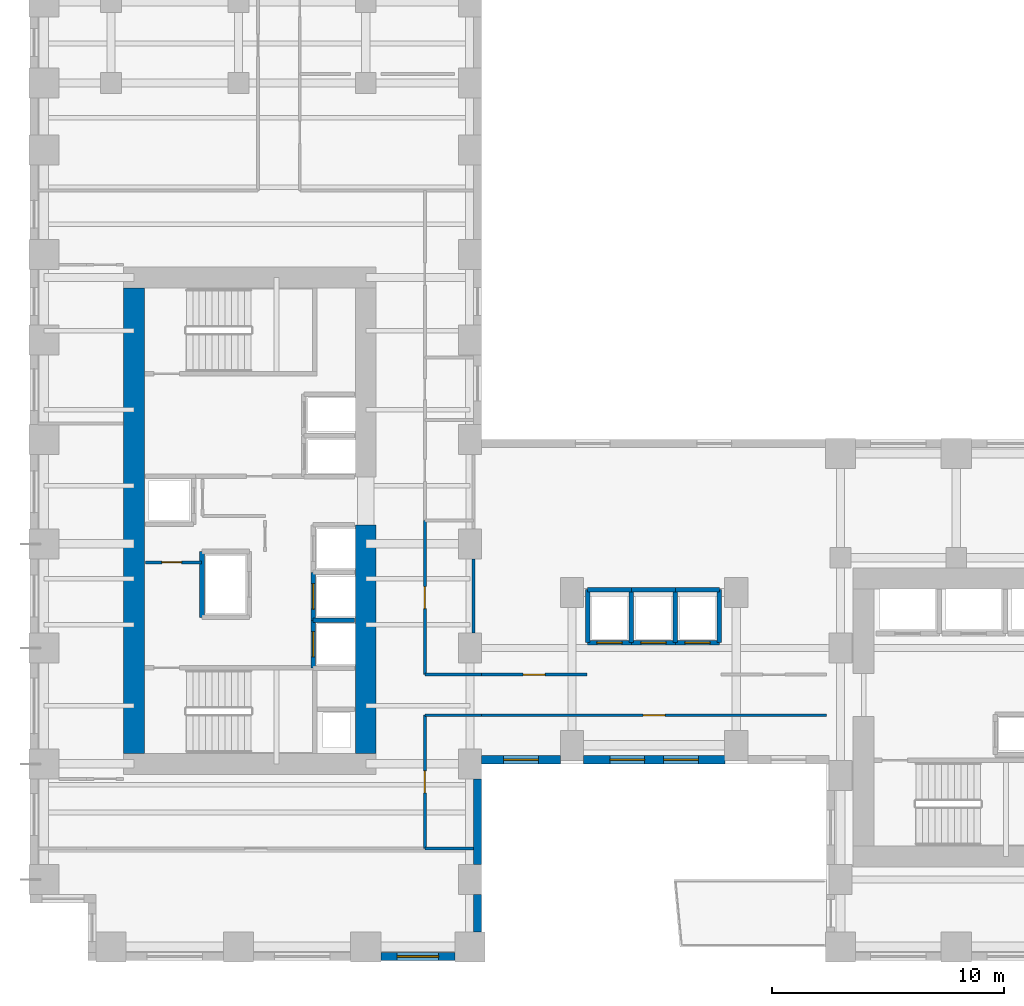
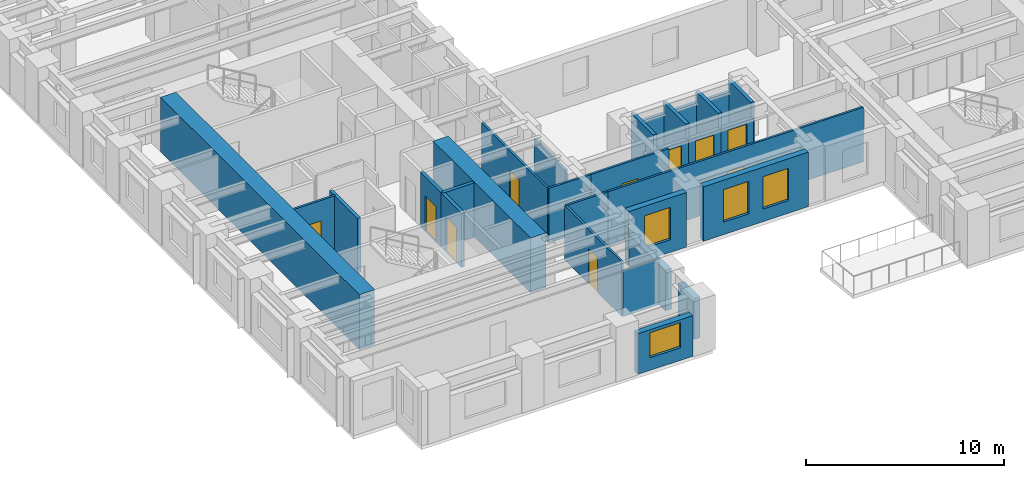
# One storey, part 4 of 12: 30 walls, 10 doors, 4 windows, 14 openings.
"""IFC4 building model written with IfcOpenShell, lengths in metres."""

from ifc_helpers import new_model, si_unit, direction, frame, frame_2d, origin, place, context, subcontext, project, spatial, rectangle, extrude, source, transform, mapped, material, layer, layer_set, type_object, element, fill, save


model = new_model("IFC4")

# Units and contexts
model_context = context("Model", 3, precision=1e-05, world=origin(), true_north=direction((0.0, 1.0)))
body_context = subcontext(model_context, "Body", "Model", "MODEL_VIEW")
ifc_project = project(units=[si_unit("LENGTHUNIT", "METRE"), si_unit("AREAUNIT", "SQUARE_METRE"), si_unit("VOLUMEUNIT", "CUBIC_METRE"), si_unit("PLANEANGLEUNIT", "RADIAN"), si_unit("MASSUNIT", "GRAM", prefix="KILO")], contexts=[model_context])

# Site, building, storey
site_placement = place(None, origin())
site = spatial("IfcSite", under=ifc_project, at=site_placement, CompositionType="ELEMENT")
building_placement = place(site_placement, origin())
building = spatial("IfcBuilding", under=site, at=building_placement, Name="Kharzan Plaza Tower", CompositionType="ELEMENT")
storey_placement = place(building_placement, frame((0.0, 0.0, 33.300048828125)))
storey = spatial("IfcBuildingStorey", under=building, at=storey_placement, Name="L08", CompositionType="ELEMENT", Elevation=33.300048828125)

# Wall, opening, window
ifc_material_1 = material(Name="Concrete C40/50", Category="concrete")
ifc_layer_1 = layer(ifc_material_1, 0.35009765625)
ifc_layer_set_1 = layer_set([ifc_layer_1], Name="Concrete C40/50")
wall_type_1 = type_object("IfcWallType", Name="WL-EXT-MAS-Z1", PredefinedType="SOLIDWALL", material=ifc_layer_set_1)
wall_1_placement = place(storey_placement, frame((15.14794921875, 0.175048828125, 0.0), z_axis=(0.0, 0.0, 1.0), x_axis=(1.0, 0.0, 0.0)))
wall_1 = element("IfcWall", 1, at=wall_1_placement, inside=storey, type_object=wall_type_1, Name="L08 Masonry-Frame Exterior Wall 25", PredefinedType="SOLIDWALL", context=body_context, shape_type="SweptSolid", body=[
    extrude(rectangle(XDim=3.2041015625, YDim=0.35009765625, at=frame_2d((1.60205078125, 0.0))), origin(), (0.0, 0.0, 1.0), 2.510009765625),
])
opening_1_placement = place(wall_1_placement, frame((0.701904296875, 0.0, 0.780029296875)))
opening_1 = element("IfcOpeningElement", 2, at=opening_1_placement, cuts=wall_1, Name="Opening W1", PredefinedType="OPENING", context=body_context, shape_type="SweptSolid", body=[
    extrude(rectangle(XDim=1.800048828125, YDim=1.550048828125, at=frame_2d((0.89990234375, 0.77490234375))), frame((0.0, 0.18505859375, 0.0), z_axis=(0.0, -1.0, 0.0), x_axis=(1.0, 0.0, 0.0)), (0.0, 0.0, 1.0), 0.3701171875),
])
ifc_material_2 = material(Name="Low-E Double Glazing", Category="glass")
window_type_1 = type_object("IfcWindowType", Name="WN-REC-1800x2100", PartitioningType="SINGLE_PANEL", PredefinedType="WINDOW", material=ifc_material_2)
shared_shape_1 = source(origin(), body_context, "Body", "SweptSolid", [
    extrude(rectangle(XDim=1.800048828125, YDim=1.550048828125, at=frame_2d((0.89990234375, 0.77490234375))), frame((0.0, 0.030029296875, 0.0), z_axis=(0.0, -1.0, 0.0), x_axis=(1.0, 0.0, 0.0)), (0.0, 0.0, 1.0), 0.06005859375),
])
window_1_placement = place(opening_1_placement, origin())
window_1 = element("IfcWindow", 3, at=window_1_placement, inside=storey, type_object=window_type_1, Name="L08 Recessed Solar-Control Window 25-1", OverallHeight=1.550048828125, OverallWidth=1.800048828125, PartitioningType="SINGLE_PANEL", PredefinedType="WINDOW", context=body_context, shape_type="MappedRepresentation", body=[
    mapped(shared_shape_1, transform((0.0, 0.0, 0.0), x_axis=(1.0, 0.0, 0.0), y_axis=(0.0, 1.0, 0.0), z_axis=(0.0, 0.0, 1.0))),
])
fill(opening_1, window_1)

wall_2_placement = place(storey_placement, frame((19.498046875, 8.675048828125, 0.0), z_axis=(0.0, 0.0, 1.0), x_axis=(1.0, 0.0, 0.0)))
wall_2 = element("IfcWall", 4, at=wall_2_placement, inside=storey, type_object=wall_type_1, Name="L08 Masonry-Frame Exterior Wall 28", PredefinedType="SOLIDWALL", context=body_context, shape_type="SweptSolid", body=[
    extrude(rectangle(XDim=3.404052734375, YDim=0.35009765625, at=frame_2d((1.7021484375, 0.0))), origin(), (0.0, 0.0, 1.0), 3.364990234375),
])
opening_2_placement = place(wall_2_placement, frame((0.951904296875, 0.0, 0.780029296875)))
opening_2 = element("IfcOpeningElement", 5, at=opening_2_placement, cuts=wall_2, Name="Opening W5", PredefinedType="OPENING", context=body_context, shape_type="SweptSolid", body=[
    extrude(rectangle(XDim=1.5, YDim=2.0, at=frame_2d((0.75, 1.0))), frame((0.0, 0.18505859375, 0.0), z_axis=(0.0, -1.0, 0.0), x_axis=(1.0, 0.0, 0.0)), (0.0, 0.0, 1.0), 0.3701171875),
])
window_type_2 = type_object("IfcWindowType", Name="WN-SLT-1500x2000", PartitioningType="SINGLE_PANEL", PredefinedType="WINDOW", material=ifc_material_2)
shared_shape_2 = source(origin(), body_context, "Body", "SweptSolid", [
    extrude(rectangle(XDim=1.5, YDim=2.0, at=frame_2d((0.75, 1.0))), frame((0.0, 0.030029296875, 0.0), z_axis=(0.0, -1.0, 0.0), x_axis=(1.0, 0.0, 0.0)), (0.0, 0.0, 1.0), 0.06005859375),
])
window_2_placement = place(opening_2_placement, origin())
window_2 = element("IfcWindow", 6, at=window_2_placement, inside=storey, type_object=window_type_2, Name="L08 Recessed Solar-Control Window 28-1", OverallHeight=2.0, OverallWidth=1.5, PartitioningType="SINGLE_PANEL", PredefinedType="WINDOW", context=body_context, shape_type="MappedRepresentation", body=[
    mapped(shared_shape_2, transform((0.0, 0.0, 0.0), x_axis=(1.0, 0.0, 0.0), y_axis=(0.0, 1.0, 0.0), z_axis=(0.0, 0.0, 1.0))),
])
fill(opening_2, window_2)

# Wall, openings, windows
wall_3_placement = place(storey_placement, frame((23.89794921875, 8.675048828125, 0.0), z_axis=(0.0, 0.0, 1.0), x_axis=(1.0, 0.0, 0.0)))
wall_3 = element("IfcWall", 7, at=wall_3_placement, inside=storey, type_object=wall_type_1, Name="L08 Masonry-Frame Exterior Wall 29", PredefinedType="SOLIDWALL", context=body_context, shape_type="SweptSolid", body=[
    extrude(rectangle(XDim=6.10400390625, YDim=0.35009765625, at=frame_2d((3.052001953125, 0.0))), origin(), (0.0, 0.0, 1.0), 3.364990234375),
])
opening_3_placement = place(wall_3_placement, frame((1.141357421875, 0.0, 0.780029296875)))
opening_3 = element("IfcOpeningElement", 8, at=opening_3_placement, cuts=wall_3, Name="Opening W5", PredefinedType="OPENING", context=body_context, shape_type="SweptSolid", body=[
    extrude(rectangle(XDim=1.5, YDim=2.0, at=frame_2d((0.75, 1.0))), frame((0.0, 0.18505859375, 0.0), z_axis=(0.0, -1.0, 0.0), x_axis=(1.0, 0.0, 0.0)), (0.0, 0.0, 1.0), 0.3701171875),
])
opening_4_placement = place(wall_3_placement, frame((3.462646484375, 0.0, 0.780029296875)))
opening_4 = element("IfcOpeningElement", 9, at=opening_4_placement, cuts=wall_3, Name="Opening W5", PredefinedType="OPENING", context=body_context, shape_type="SweptSolid", body=[
    extrude(rectangle(XDim=1.5, YDim=2.0, at=frame_2d((0.75, 1.0))), frame((0.0, 0.18505859375, 0.0), z_axis=(0.0, -1.0, 0.0), x_axis=(1.0, 0.0, 0.0)), (0.0, 0.0, 1.0), 0.3701171875),
])
window_3_placement = place(opening_3_placement, origin())
window_3 = element("IfcWindow", 10, at=window_3_placement, inside=storey, type_object=window_type_2, Name="L08 Recessed Solar-Control Window 29-1", OverallHeight=2.0, OverallWidth=1.5, PartitioningType="SINGLE_PANEL", PredefinedType="WINDOW", context=body_context, shape_type="MappedRepresentation", body=[
    mapped(shared_shape_2, transform((0.0, 0.0, 0.0), x_axis=(1.0, 0.0, 0.0), y_axis=(0.0, 1.0, 0.0), z_axis=(0.0, 0.0, 1.0))),
])
fill(opening_3, window_3)
window_4_placement = place(opening_4_placement, origin())
window_4 = element("IfcWindow", 11, at=window_4_placement, inside=storey, type_object=window_type_2, Name="L08 Recessed Solar-Control Window 29-2", OverallHeight=2.0, OverallWidth=1.5, PartitioningType="SINGLE_PANEL", PredefinedType="WINDOW", context=body_context, shape_type="MappedRepresentation", body=[
    mapped(shared_shape_2, transform((0.0, 0.0, 0.0), x_axis=(1.0, 0.0, 0.0), y_axis=(0.0, 1.0, 0.0), z_axis=(0.0, 0.0, 1.0))),
])
fill(opening_4, window_4)

# Wall, opening, door
ifc_material_3 = material(Name="Fire-Rated Gypsum Board Partition", Category="gypsum")
ifc_layer_2 = layer(ifc_material_3, 0.125)
ifc_layer_set_2 = layer_set([ifc_layer_2], Name="Fire-Rated Gypsum Board Partition")
wall_type_2 = type_object("IfcWallType", Name="WL-INT-PART-125", PredefinedType="PARTITIONING", material=ifc_layer_set_2)
wall_4_placement = place(storey_placement, frame((5.0, 17.199951171875, 0.0), z_axis=(0.0, 0.0, 1.0), x_axis=(1.0, 0.0, 0.0)))
wall_4 = element("IfcWall", 12, at=wall_4_placement, inside=storey, type_object=wall_type_2, Name="L08 Interior Partition CA-K2N0", PredefinedType="PARTITIONING", context=body_context, shape_type="SweptSolid", body=[
    extrude(rectangle(XDim=2.39990234375, YDim=0.125, at=frame_2d((1.199951171875, 0.0))), origin(), (0.0, 0.0, 1.0), 3.364990234375),
])
opening_5_placement = place(wall_4_placement, frame((0.699951171875, 0.0, 0.0)))
opening_5 = element("IfcOpeningElement", 13, at=opening_5_placement, cuts=wall_4, Name="Opening RD1", PredefinedType="OPENING", context=body_context, shape_type="SweptSolid", body=[
    extrude(rectangle(XDim=0.85009765625, YDim=2.10009765625, at=frame_2d((0.425048828125, 1.050048828125))), frame((0.0, 0.072509765625, 0.0), z_axis=(0.0, -1.0, 0.0), x_axis=(1.0, 0.0, 0.0)), (0.0, 0.0, 1.0), 0.14501953125),
])
ifc_material_4 = material(Name="Powder-Coated Fire-Rated Steel", Category="steel")
door_type_1 = type_object("IfcDoorType", Name="DR-RISER-900", OperationType="NOTDEFINED", PredefinedType="DOOR", material=ifc_material_4)
shared_shape_3 = source(origin(), body_context, "Body", "SweptSolid", [
    extrude(rectangle(XDim=0.85009765625, YDim=2.10009765625, at=frame_2d((0.425048828125, 1.050048828125))), frame((0.0, 0.02490234375, 0.0), z_axis=(0.0, -1.0, 0.0), x_axis=(1.0, 0.0, 0.0)), (0.0, 0.0, 1.0), 0.050048828125),
])
door_1_placement = place(opening_5_placement, origin())
door_1 = element("IfcDoor", 14, at=door_1_placement, inside=storey, type_object=door_type_1, Name="L08 Core Electrical Store Door", OperationType="SINGLE_SWING_RIGHT", OverallHeight=2.10009765625, OverallWidth=0.85009765625, PredefinedType="DOOR", context=body_context, shape_type="MappedRepresentation", body=[
    mapped(shared_shape_3, transform((0.0, 0.0, 0.0), x_axis=(1.0, 0.0, 0.0), y_axis=(0.0, 1.0, 0.0), z_axis=(0.0, 0.0, 1.0))),
])
fill(opening_5, door_1)

wall_5_placement = place(storey_placement, frame((17.050048828125, 12.35009765625, 0.0), z_axis=(0.0, 0.0, 1.0), x_axis=(0.0, 1.0, 0.0)))
wall_5 = element("IfcWall", 15, at=wall_5_placement, inside=storey, type_object=wall_type_2, Name="L08 Interior Partition SH-AEWN1", PredefinedType="PARTITIONING", context=body_context, shape_type="SweptSolid", body=[
    extrude(rectangle(XDim=6.64990234375, YDim=0.125, at=frame_2d((3.324951171875, 0.0))), origin(), (0.0, 0.0, 1.0), 3.364990234375),
])
opening_6_placement = place(wall_5_placement, frame((2.85009765625, 0.0, 0.0)))
opening_6 = element("IfcOpeningElement", 16, at=opening_6_placement, cuts=wall_5, Name="Opening OD1", PredefinedType="OPENING", context=body_context, shape_type="SweptSolid", body=[
    extrude(rectangle(XDim=0.949951171875, YDim=2.14990234375, at=frame_2d((0.47509765625, 1.074951171875))), frame((0.0, 0.072509765625, 0.0), z_axis=(0.0, -1.0, 0.0), x_axis=(1.0, 0.0, 0.0)), (0.0, 0.0, 1.0), 0.14501953125),
])
ifc_material_5 = material(Name="Acoustic Solid-Core Stained Oak", Category="timber")
door_type_2 = type_object("IfcDoorType", Name="DR-OFF-SINGLE", OperationType="NOTDEFINED", PredefinedType="DOOR", material=ifc_material_5)
shared_shape_4 = source(origin(), body_context, "Body", "SweptSolid", [
    extrude(rectangle(XDim=0.949951171875, YDim=2.14990234375, at=frame_2d((0.47509765625, 1.074951171875))), frame((0.0, 0.02490234375, 0.0), z_axis=(0.0, -1.0, 0.0), x_axis=(1.0, 0.0, 0.0)), (0.0, 0.0, 1.0), 0.050048828125),
])
door_2_placement = place(opening_6_placement, origin())
door_2 = element("IfcDoor", 17, at=door_2_placement, inside=storey, type_object=door_type_2, Name="L08 Slot Collaboration Door", OperationType="SINGLE_SWING_LEFT", OverallHeight=2.14990234375, OverallWidth=0.949951171875, PredefinedType="DOOR", context=body_context, shape_type="MappedRepresentation", body=[
    mapped(shared_shape_4, transform((0.0, 0.0, 0.0), x_axis=(1.0, 0.0, 0.0), y_axis=(0.0, 1.0, 0.0), z_axis=(0.0, 0.0, 1.0))),
])
fill(opening_6, door_2)

wall_6_placement = place(storey_placement, frame((17.050048828125, 4.85009765625, 0.0), z_axis=(0.0, 0.0, 1.0), x_axis=(0.0, 1.0, 0.0)))
wall_6 = element("IfcWall", 18, at=wall_6_placement, inside=storey, type_object=wall_type_2, Name="L08 Interior Partition SH-AEWS", PredefinedType="PARTITIONING", context=body_context, shape_type="SweptSolid", body=[
    extrude(rectangle(XDim=5.75, YDim=0.125, at=frame_2d((2.875, 0.0))), origin(), (0.0, 0.0, 1.0), 3.364990234375),
])
opening_7_placement = place(wall_6_placement, frame((2.39990234375, 0.0, 0.0)))
opening_7 = element("IfcOpeningElement", 19, at=opening_7_placement, cuts=wall_6, Name="Opening OD1", PredefinedType="OPENING", context=body_context, shape_type="SweptSolid", body=[
    extrude(rectangle(XDim=0.949951171875, YDim=2.14990234375, at=frame_2d((0.47509765625, 1.074951171875))), frame((0.0, 0.072509765625, 0.0), z_axis=(0.0, -1.0, 0.0), x_axis=(1.0, 0.0, 0.0)), (0.0, 0.0, 1.0), 0.14501953125),
])
door_3_placement = place(opening_7_placement, origin())
door_3 = element("IfcDoor", 20, at=door_3_placement, inside=storey, type_object=door_type_2, Name="L08 Slot South Office Door", OperationType="SINGLE_SWING_RIGHT", OverallHeight=2.14990234375, OverallWidth=0.949951171875, PredefinedType="DOOR", context=body_context, shape_type="MappedRepresentation", body=[
    mapped(shared_shape_4, transform((0.0, 0.0, 0.0), x_axis=(1.0, 0.0, 0.0), y_axis=(0.0, 1.0, 0.0), z_axis=(0.0, 0.0, 1.0))),
])
fill(opening_7, door_3)

wall_7_placement = place(storey_placement, frame((19.5, 12.35009765625, 0.0), z_axis=(0.0, 0.0, 1.0), x_axis=(1.0, 0.0, 0.0)))
wall_7 = element("IfcWall", 21, at=wall_7_placement, inside=storey, type_object=wall_type_2, Name="L08 Interior Partition SH-SPNW1", PredefinedType="PARTITIONING", context=body_context, shape_type="SweptSolid", body=[
    extrude(rectangle(XDim=4.550048828125, YDim=0.125, at=frame_2d((2.27490234375, 0.0))), origin(), (0.0, 0.0, 1.0), 3.364990234375),
])
opening_8_placement = place(wall_7_placement, frame((1.800048828125, 0.0, 0.0)))
opening_8 = element("IfcOpeningElement", 22, at=opening_8_placement, cuts=wall_7, Name="Opening OD1", PredefinedType="OPENING", context=body_context, shape_type="SweptSolid", body=[
    extrude(rectangle(XDim=0.949951171875, YDim=2.14990234375, at=frame_2d((0.47509765625, 1.074951171875))), frame((0.0, 0.072509765625, 0.0), z_axis=(0.0, -1.0, 0.0), x_axis=(1.0, 0.0, 0.0)), (0.0, 0.0, 1.0), 0.14501953125),
])
door_4_placement = place(opening_8_placement, origin())
door_4 = element("IfcDoor", 23, at=door_4_placement, inside=storey, type_object=door_type_2, Name="L08 North-West Spine Door", OperationType="SINGLE_SWING_RIGHT", OverallHeight=2.14990234375, OverallWidth=0.949951171875, PredefinedType="DOOR", context=body_context, shape_type="MappedRepresentation", body=[
    mapped(shared_shape_4, transform((0.0, 0.0, 0.0), x_axis=(1.0, 0.0, 0.0), y_axis=(0.0, 1.0, 0.0), z_axis=(0.0, 0.0, 1.0))),
])
fill(opening_8, door_4)

wall_8_placement = place(storey_placement, frame((19.5, 10.60009765625, 0.0), z_axis=(0.0, 0.0, 1.0), x_axis=(1.0, 0.0, 0.0)))
wall_8 = element("IfcWall", 24, at=wall_8_placement, inside=storey, type_object=wall_type_2, Name="L08 Interior Partition SH-SPS1", PredefinedType="PARTITIONING", context=body_context, shape_type="SweptSolid", body=[
    extrude(rectangle(XDim=14.89990234375, YDim=0.125, at=frame_2d((7.449951171875, 0.0))), origin(), (0.0, 0.0, 1.0), 3.364990234375),
])
opening_9_placement = place(wall_8_placement, frame((6.97509765625, 0.0, 0.0)))
opening_9 = element("IfcOpeningElement", 25, at=opening_9_placement, cuts=wall_8, Name="Opening OD1", PredefinedType="OPENING", context=body_context, shape_type="SweptSolid", body=[
    extrude(rectangle(XDim=0.949951171875, YDim=2.14990234375, at=frame_2d((0.47509765625, 1.074951171875))), frame((0.0, 0.072509765625, 0.0), z_axis=(0.0, -1.0, 0.0), x_axis=(1.0, 0.0, 0.0)), (0.0, 0.0, 1.0), 0.14501953125),
])
door_5_placement = place(opening_9_placement, origin())
door_5 = element("IfcDoor", 26, at=door_5_placement, inside=storey, type_object=door_type_2, Name="L08 South Spine Studio Door", OperationType="SINGLE_SWING_LEFT", OverallHeight=2.14990234375, OverallWidth=0.949951171875, PredefinedType="DOOR", context=body_context, shape_type="MappedRepresentation", body=[
    mapped(shared_shape_4, transform((0.0, 0.0, 0.0), x_axis=(1.0, 0.0, 0.0), y_axis=(0.0, 1.0, 0.0), z_axis=(0.0, 0.0, 1.0))),
])
fill(opening_9, door_5)

ifc_layer_3 = layer(ifc_material_1, 0.199951171875)
ifc_layer_set_3 = layer_set([ifc_layer_3], Name="Concrete C40/50")
wall_type_3 = type_object("IfcWallType", Name="WL-INT-SHAFT-200", PredefinedType="PARTITIONING", material=ifc_layer_set_3)
wall_9_placement = place(storey_placement, frame((12.22998046875, 12.6298828125, 0.0), z_axis=(0.0, 0.0, 1.0), x_axis=(0.0, 1.0, 0.0)))
wall_9 = element("IfcWall", 27, at=wall_9_placement, inside=storey, type_object=wall_type_3, Name="L08 Interior Partition SHF-PL-H1-W", PredefinedType="PARTITIONING", context=body_context, shape_type="SweptSolid", body=[
    extrude(rectangle(XDim=2.070068359375, YDim=0.199951171875, at=frame_2d((1.03515625, 0.0))), origin(), (0.0, 0.0, 1.0), 3.364990234375),
])
opening_10_placement = place(wall_9_placement, frame((0.485107421875, 0.0, 0.0)))
opening_10 = element("IfcOpeningElement", 28, at=opening_10_placement, cuts=wall_9, Name="Opening LD", PredefinedType="OPENING", context=body_context, shape_type="SweptSolid", body=[
    extrude(rectangle(XDim=1.10009765625, YDim=2.199951171875, at=frame_2d((0.550048828125, 1.10009765625))), frame((0.0, 0.10986328125, 0.0), z_axis=(0.0, -1.0, 0.0), x_axis=(1.0, 0.0, 0.0)), (0.0, 0.0, 1.0), 0.219970703125),
])
ifc_material_6 = material(Name="Brushed Stainless Steel", Category="steel")
door_type_3 = type_object("IfcDoorType", Name="DR-LIFT-SLIDE", OperationType="SLIDING_TO_LEFT", PredefinedType="DOOR", material=ifc_material_6)
shared_shape_5 = source(origin(), body_context, "Body", "SweptSolid", [
    extrude(rectangle(XDim=1.10009765625, YDim=2.199951171875, at=frame_2d((0.550048828125, 1.10009765625))), frame((0.0, 0.02490234375, 0.0), z_axis=(0.0, -1.0, 0.0), x_axis=(1.0, 0.0, 0.0)), (0.0, 0.0, 1.0), 0.050048828125),
])
door_6_placement = place(opening_10_placement, origin())
door_6 = element("IfcDoor", 29, at=door_6_placement, inside=storey, type_object=door_type_3, Name="L08 High-Rise Passenger Lift PL-H1 Sliding Landing Door", OperationType="SLIDING_TO_LEFT", OverallHeight=2.199951171875, OverallWidth=1.10009765625, PredefinedType="DOOR", context=body_context, shape_type="MappedRepresentation", body=[
    mapped(shared_shape_5, transform((0.0, 0.0, 0.0), x_axis=(1.0, 0.0, 0.0), y_axis=(0.0, 1.0, 0.0), z_axis=(0.0, 0.0, 1.0))),
])
fill(opening_10, door_6)

wall_10_placement = place(storey_placement, frame((12.22998046875, 14.699951171875, 0.0), z_axis=(0.0, 0.0, 1.0), x_axis=(0.0, 1.0, 0.0)))
wall_10 = element("IfcWall", 30, at=wall_10_placement, inside=storey, type_object=wall_type_3, Name="L08 Interior Partition SHF-PL-H2-W", PredefinedType="PARTITIONING", context=body_context, shape_type="SweptSolid", body=[
    extrude(rectangle(XDim=2.070068359375, YDim=0.199951171875, at=frame_2d((1.03515625, 0.0))), origin(), (0.0, 0.0, 1.0), 3.364990234375),
])
opening_11_placement = place(wall_10_placement, frame((0.485107421875, 0.0, 0.0)))
opening_11 = element("IfcOpeningElement", 31, at=opening_11_placement, cuts=wall_10, Name="Opening LD", PredefinedType="OPENING", context=body_context, shape_type="SweptSolid", body=[
    extrude(rectangle(XDim=1.10009765625, YDim=2.199951171875, at=frame_2d((0.550048828125, 1.10009765625))), frame((0.0, 0.10986328125, 0.0), z_axis=(0.0, -1.0, 0.0), x_axis=(1.0, 0.0, 0.0)), (0.0, 0.0, 1.0), 0.219970703125),
])
door_7_placement = place(opening_11_placement, origin())
door_7 = element("IfcDoor", 32, at=door_7_placement, inside=storey, type_object=door_type_3, Name="L08 High-Rise Passenger Lift PL-H2 Sliding Landing Door", OperationType="SLIDING_TO_LEFT", OverallHeight=2.199951171875, OverallWidth=1.10009765625, PredefinedType="DOOR", context=body_context, shape_type="MappedRepresentation", body=[
    mapped(shared_shape_5, transform((0.0, 0.0, 0.0), x_axis=(1.0, 0.0, 0.0), y_axis=(0.0, 1.0, 0.0), z_axis=(0.0, 0.0, 1.0))),
])
fill(opening_11, door_7)

wall_11_placement = place(storey_placement, frame((24.080078125, 13.72998046875, 0.0), z_axis=(0.0, 0.0, 1.0), x_axis=(1.0, 0.0, 0.0)))
wall_11 = element("IfcWall", 33, at=wall_11_placement, inside=storey, type_object=wall_type_3, Name="L08 Interior Partition SHF-PL-M1-S", PredefinedType="PARTITIONING", context=body_context, shape_type="SweptSolid", body=[
    extrude(rectangle(XDim=1.889892578125, YDim=0.199951171875, at=frame_2d((0.94482421875, 0.0))), origin(), (0.0, 0.0, 1.0), 2.446044921875),
])
opening_12_placement = place(wall_11_placement, frame((0.39501953125, 0.0, 0.0)))
opening_12 = element("IfcOpeningElement", 34, at=opening_12_placement, cuts=wall_11, Name="Opening LD", PredefinedType="OPENING", context=body_context, shape_type="SweptSolid", body=[
    extrude(rectangle(XDim=1.10009765625, YDim=2.199951171875, at=frame_2d((0.550048828125, 1.10009765625))), frame((0.0, 0.10986328125, 0.0), z_axis=(0.0, -1.0, 0.0), x_axis=(1.0, 0.0, 0.0)), (0.0, 0.0, 1.0), 0.219970703125),
])
door_8_placement = place(opening_12_placement, origin())
door_8 = element("IfcDoor", 35, at=door_8_placement, inside=storey, type_object=door_type_3, Name="L08 Mid-Rise Passenger Lift PL-M1 Sliding Landing Door", OperationType="SLIDING_TO_LEFT", OverallHeight=2.199951171875, OverallWidth=1.10009765625, PredefinedType="DOOR", context=body_context, shape_type="MappedRepresentation", body=[
    mapped(shared_shape_5, transform((0.0, 0.0, 0.0), x_axis=(1.0, 0.0, 0.0), y_axis=(0.0, 1.0, 0.0), z_axis=(0.0, 0.0, 1.0))),
])
fill(opening_12, door_8)

wall_12_placement = place(storey_placement, frame((25.97998046875, 13.72998046875, 0.0), z_axis=(0.0, 0.0, 1.0), x_axis=(1.0, 0.0, 0.0)))
wall_12 = element("IfcWall", 36, at=wall_12_placement, inside=storey, type_object=wall_type_3, Name="L08 Interior Partition SHF-PL-M2-S", PredefinedType="PARTITIONING", context=body_context, shape_type="SweptSolid", body=[
    extrude(rectangle(XDim=1.89013671875, YDim=0.199951171875, at=frame_2d((0.945068359375, 0.0))), origin(), (0.0, 0.0, 1.0), 2.446044921875),
])
opening_13_placement = place(wall_12_placement, frame((0.39501953125, 0.0, 0.0)))
opening_13 = element("IfcOpeningElement", 37, at=opening_13_placement, cuts=wall_12, Name="Opening LD", PredefinedType="OPENING", context=body_context, shape_type="SweptSolid", body=[
    extrude(rectangle(XDim=1.10009765625, YDim=2.199951171875, at=frame_2d((0.550048828125, 1.10009765625))), frame((0.0, 0.10986328125, 0.0), z_axis=(0.0, -1.0, 0.0), x_axis=(1.0, 0.0, 0.0)), (0.0, 0.0, 1.0), 0.219970703125),
])
door_9_placement = place(opening_13_placement, origin())
door_9 = element("IfcDoor", 38, at=door_9_placement, inside=storey, type_object=door_type_3, Name="L08 Mid-Rise Passenger Lift PL-M2 Sliding Landing Door", OperationType="SLIDING_TO_LEFT", OverallHeight=2.199951171875, OverallWidth=1.10009765625, PredefinedType="DOOR", context=body_context, shape_type="MappedRepresentation", body=[
    mapped(shared_shape_5, transform((0.0, 0.0, 0.0), x_axis=(1.0, 0.0, 0.0), y_axis=(0.0, 1.0, 0.0), z_axis=(0.0, 0.0, 1.0))),
])
fill(opening_13, door_9)

wall_13_placement = place(storey_placement, frame((27.8798828125, 13.72998046875, 0.0), z_axis=(0.0, 0.0, 1.0), x_axis=(1.0, 0.0, 0.0)))
wall_13 = element("IfcWall", 39, at=wall_13_placement, inside=storey, type_object=wall_type_3, Name="L08 Interior Partition SHF-PL-M3-S", PredefinedType="PARTITIONING", context=body_context, shape_type="SweptSolid", body=[
    extrude(rectangle(XDim=1.89013671875, YDim=0.199951171875, at=frame_2d((0.945068359375, 0.0))), origin(), (0.0, 0.0, 1.0), 2.446044921875),
])
opening_14_placement = place(wall_13_placement, frame((0.39501953125, 0.0, 0.0)))
opening_14 = element("IfcOpeningElement", 40, at=opening_14_placement, cuts=wall_13, Name="Opening LD", PredefinedType="OPENING", context=body_context, shape_type="SweptSolid", body=[
    extrude(rectangle(XDim=1.10009765625, YDim=2.199951171875, at=frame_2d((0.550048828125, 1.10009765625))), frame((0.0, 0.10986328125, 0.0), z_axis=(0.0, -1.0, 0.0), x_axis=(1.0, 0.0, 0.0)), (0.0, 0.0, 1.0), 0.219970703125),
])
door_10_placement = place(opening_14_placement, origin())
door_10 = element("IfcDoor", 41, at=door_10_placement, inside=storey, type_object=door_type_3, Name="L08 Mid-Rise Passenger Lift PL-M3 Sliding Landing Door", OperationType="SLIDING_TO_LEFT", OverallHeight=2.199951171875, OverallWidth=1.10009765625, PredefinedType="DOOR", context=body_context, shape_type="MappedRepresentation", body=[
    mapped(shared_shape_5, transform((0.0, 0.0, 0.0), x_axis=(1.0, 0.0, 0.0), y_axis=(0.0, 1.0, 0.0), z_axis=(0.0, 0.0, 1.0))),
])
fill(opening_14, door_10)

# Walls
ifc_material_7 = material(Name="Concrete C60/75", Category="concrete")
ifc_layer_4 = layer(ifc_material_7, 0.89990234375)
ifc_layer_set_4 = layer_set([ifc_layer_4], Name="Concrete C60/75")
wall_type_4 = type_object("IfcWallType", Name="WL-CORE-900", PredefinedType="SHEAR", material=ifc_layer_set_4)
shared_shape_6 = source(origin(), body_context, "Body", "SweptSolid", [
    extrude(rectangle(XDim=9.8701171875, YDim=0.89990234375, at=frame_2d((4.93505859375, 0.0))), origin(), (0.0, 0.0, 1.0), 3.3798828125),
])
wall_14_placement = place(storey_placement, frame((14.5, 8.949951171875, 0.0), z_axis=(0.0, 0.0, 1.0), x_axis=(0.0, 1.0, 0.0)))
element("IfcWall", 42, at=wall_14_placement, inside=storey, type_object=wall_type_4, Name="L08 CORE-A east shear pier 1", PredefinedType="SHEAR", context=body_context, shape_type="MappedRepresentation", body=[
    mapped(shared_shape_6, transform((0.0, 0.0, 0.0), x_axis=(1.0, 0.0, 0.0), y_axis=(0.0, 1.0, 0.0), z_axis=(0.0, 0.0, 1.0))),
])
shared_shape_7 = source(origin(), body_context, "Body", "SweptSolid", [
    extrude(rectangle(XDim=20.10009765625, YDim=0.89990234375, at=frame_2d((10.050048828125, 0.0))), origin(), (0.0, 0.0, 1.0), 3.3798828125),
])
wall_15_placement = place(storey_placement, frame((4.5, 8.949951171875, 0.0), z_axis=(0.0, 0.0, 1.0), x_axis=(0.0, 1.0, 0.0)))
element("IfcWall", 43, at=wall_15_placement, inside=storey, type_object=wall_type_4, Name="L08 CORE-A west RC shear wall", PredefinedType="SHEAR", context=body_context, shape_type="MappedRepresentation", body=[
    mapped(shared_shape_7, transform((0.0, 0.0, 0.0), x_axis=(1.0, 0.0, 0.0), y_axis=(0.0, 1.0, 0.0), z_axis=(0.0, 0.0, 1.0))),
])
shared_shape_8 = source(origin(), body_context, "Body", "SweptSolid", [
    extrude(rectangle(XDim=1.60400390625, YDim=0.35009765625, at=frame_2d((0.802001953125, 0.0))), origin(), (0.0, 0.0, 1.0), 2.510009765625),
])
wall_16_placement = place(storey_placement, frame((19.324951171875, 1.248046875, 0.0), z_axis=(0.0, 0.0, 1.0), x_axis=(0.0, 1.0, 0.0)))
element("IfcWall", 44, at=wall_16_placement, inside=storey, type_object=wall_type_1, Name="L08 Masonry-Frame Exterior Wall 26", PredefinedType="SOLIDWALL", context=body_context, shape_type="MappedRepresentation", body=[
    mapped(shared_shape_8, transform((0.0, 0.0, 0.0), x_axis=(1.0, 0.0, 0.0), y_axis=(0.0, 1.0, 0.0), z_axis=(0.0, 0.0, 1.0))),
])
shared_shape_9 = source(origin(), body_context, "Body", "SweptSolid", [
    extrude(rectangle(XDim=3.7041015625, YDim=0.35009765625, at=frame_2d((1.85205078125, 0.0))), origin(), (0.0, 0.0, 1.0), 2.510009765625),
])
wall_17_placement = place(storey_placement, frame((19.324951171875, 4.14794921875, 0.0), z_axis=(0.0, 0.0, 1.0), x_axis=(0.0, 1.0, 0.0)))
element("IfcWall", 45, at=wall_17_placement, inside=storey, type_object=wall_type_1, Name="L08 Masonry-Frame Exterior Wall 27", PredefinedType="SOLIDWALL", context=body_context, shape_type="MappedRepresentation", body=[
    mapped(shared_shape_9, transform((0.0, 0.0, 0.0), x_axis=(1.0, 0.0, 0.0), y_axis=(0.0, 1.0, 0.0), z_axis=(0.0, 0.0, 1.0))),
])
shared_shape_10 = source(origin(), body_context, "Body", "SweptSolid", [
    extrude(rectangle(XDim=3.18017578125, YDim=0.125, at=frame_2d((1.590087890625, 0.0))), origin(), (0.0, 0.0, 1.0), 2.669921875),
])
wall_18_placement = place(storey_placement, frame((19.14990234375, 14.159912109375, 0.0), z_axis=(0.0, 0.0, 1.0), x_axis=(0.0, 1.0, 0.0)))
element("IfcWall", 46, at=wall_18_placement, inside=storey, type_object=wall_type_2, Name="L08 Interior Partition SH-AEN-DIV-S1", PredefinedType="PARTITIONING", context=body_context, shape_type="MappedRepresentation", body=[
    mapped(shared_shape_10, transform((0.0, 0.0, 0.0), x_axis=(1.0, 0.0, 0.0), y_axis=(0.0, 1.0, 0.0), z_axis=(0.0, 0.0, 1.0))),
])
shared_shape_11 = source(origin(), body_context, "Body", "SweptSolid", [
    extrude(rectangle(XDim=2.097900390625, YDim=0.125, at=frame_2d((1.048828125, 0.0))), origin(), (0.0, 0.0, 1.0), 2.827880859375),
])
wall_19_placement = place(storey_placement, frame((17.050048828125, 4.85009765625, 0.0), z_axis=(0.0, 0.0, 1.0), x_axis=(1.0, 0.0, 0.0)))
element("IfcWall", 47, at=wall_19_placement, inside=storey, type_object=wall_type_2, Name="L08 Interior Partition SH-SSE-1", PredefinedType="PARTITIONING", context=body_context, shape_type="MappedRepresentation", body=[
    mapped(shared_shape_11, transform((0.0, 0.0, 0.0), x_axis=(1.0, 0.0, 0.0), y_axis=(0.0, 1.0, 0.0), z_axis=(0.0, 0.0, 1.0))),
])
shared_shape_12 = source(origin(), body_context, "Body", "SweptSolid", [
    extrude(rectangle(XDim=1.7900390625, YDim=0.199951171875, at=frame_2d((0.89501953125, 0.0))), origin(), (0.0, 0.0, 1.0), 3.364990234375),
])
wall_20_placement = place(storey_placement, frame((12.22998046875, 14.699951171875, 0.0), z_axis=(0.0, 0.0, 1.0), x_axis=(1.0, 0.0, 0.0)))
element("IfcWall", 48, at=wall_20_placement, inside=storey, type_object=wall_type_3, Name="L08 Interior Partition SHF-PL-H1-N", PredefinedType="PARTITIONING", context=body_context, shape_type="MappedRepresentation", body=[
    mapped(shared_shape_12, transform((0.0, 0.0, 0.0), x_axis=(1.0, 0.0, 0.0), y_axis=(0.0, 1.0, 0.0), z_axis=(0.0, 0.0, 1.0))),
])
shared_shape_13 = source(origin(), body_context, "Body", "SweptSolid", [
    extrude(rectangle(XDim=2.2900390625, YDim=0.199951171875, at=frame_2d((1.14501953125, 0.0))), origin(), (0.0, 0.0, 1.0), 3.364990234375),
])
for number, where, z_axis, x_axis, name in (
    (49, (25.969970703125, 13.72998046875, 0.0), (0.0, 0.0, 1.0), (0.0, 1.0, 0.0), "L08 Interior Partition SHF-PL-M1-E"),
    (50, (24.080078125, 13.72998046875, 0.0), (0.0, 0.0, 1.0), (0.0, 1.0, 0.0), "L08 Interior Partition SHF-PL-M1-W"),
    (51, (27.8701171875, 13.72998046875, 0.0), (0.0, 0.0, 1.0), (0.0, 1.0, 0.0), "L08 Interior Partition SHF-PL-M2-E"),
    (52, (29.77001953125, 13.72998046875, 0.0), (0.0, 0.0, 1.0), (0.0, 1.0, 0.0), "L08 Interior Partition SHF-PL-M3-E"),
):
    element("IfcWall", number, at=place(storey_placement, frame(where, z_axis=z_axis, x_axis=x_axis)), inside=storey, type_object=wall_type_3, Name=name, PredefinedType="PARTITIONING", context=body_context, shape_type="MappedRepresentation", body=[
        mapped(shared_shape_13, transform((0.0, 0.0, 0.0), x_axis=(1.0, 0.0, 0.0), y_axis=(0.0, 1.0, 0.0), z_axis=(0.0, 0.0, 1.0))),
    ])
shared_shape_14 = source(origin(), body_context, "Body", "SweptSolid", [
    extrude(rectangle(XDim=1.889892578125, YDim=0.199951171875, at=frame_2d((0.94482421875, 0.0))), origin(), (0.0, 0.0, 1.0), 2.669921875),
])
wall_21_placement = place(storey_placement, frame((24.080078125, 16.02001953125, 0.0), z_axis=(0.0, 0.0, 1.0), x_axis=(1.0, 0.0, 0.0)))
element("IfcWall", 53, at=wall_21_placement, inside=storey, type_object=wall_type_3, Name="L08 Interior Partition SHF-PL-M1-N", PredefinedType="PARTITIONING", context=body_context, shape_type="MappedRepresentation", body=[
    mapped(shared_shape_14, transform((0.0, 0.0, 0.0), x_axis=(1.0, 0.0, 0.0), y_axis=(0.0, 1.0, 0.0), z_axis=(0.0, 0.0, 1.0))),
])
shared_shape_15 = source(origin(), body_context, "Body", "SweptSolid", [
    extrude(rectangle(XDim=1.89013671875, YDim=0.199951171875, at=frame_2d((0.945068359375, 0.0))), origin(), (0.0, 0.0, 1.0), 2.669921875),
])
for number, where, z_axis, x_axis, name in (
    (54, (25.97998046875, 16.02001953125, 0.0), (0.0, 0.0, 1.0), (1.0, 0.0, 0.0), "L08 Interior Partition SHF-PL-M2-N"),
    (55, (27.8798828125, 16.02001953125, 0.0), (0.0, 0.0, 1.0), (1.0, 0.0, 0.0), "L08 Interior Partition SHF-PL-M3-N"),
):
    element("IfcWall", number, at=place(storey_placement, frame(where, z_axis=z_axis, x_axis=x_axis)), inside=storey, type_object=wall_type_3, Name=name, PredefinedType="PARTITIONING", context=body_context, shape_type="MappedRepresentation", body=[
        mapped(shared_shape_15, transform((0.0, 0.0, 0.0), x_axis=(1.0, 0.0, 0.0), y_axis=(0.0, 1.0, 0.0), z_axis=(0.0, 0.0, 1.0))),
    ])
shared_shape_16 = source(origin(), body_context, "Body", "SweptSolid", [
    extrude(rectangle(XDim=2.83984375, YDim=0.199951171875, at=frame_2d((1.419921875, 0.0))), origin(), (0.0, 0.0, 1.0), 3.364990234375),
])
wall_22_placement = place(storey_placement, frame((7.429931640625, 14.830078125, 0.0), z_axis=(0.0, 0.0, 1.0), x_axis=(0.0, 1.0, 0.0)))
element("IfcWall", 56, at=wall_22_placement, inside=storey, type_object=wall_type_3, Name="L08 Interior Partition SHF-SVL-1-W", PredefinedType="PARTITIONING", context=body_context, shape_type="MappedRepresentation", body=[
    mapped(shared_shape_16, transform((0.0, 0.0, 0.0), x_axis=(1.0, 0.0, 0.0), y_axis=(0.0, 1.0, 0.0), z_axis=(0.0, 0.0, 1.0))),
])
shared_shape_17 = source(origin(), body_context, "Body", "SweptSolid", [
    extrude(rectangle(XDim=2.449951171875, YDim=0.125, at=frame_2d((1.22509765625, 0.0))), origin(), (0.0, 0.0, 1.0), 3.364990234375),
])
for number, where, z_axis, x_axis, name in (
    (57, (17.050048828125, 12.35009765625, 0.0), (0.0, 0.0, 1.0), (1.0, 0.0, 0.0), "L08 Interior Partition SH-SPNW0"),
    (58, (17.050048828125, 10.60009765625, 0.0), (0.0, 0.0, 1.0), (1.0, 0.0, 0.0), "L08 Interior Partition SH-SPS0"),
):
    element("IfcWall", number, at=place(storey_placement, frame(where, z_axis=z_axis, x_axis=x_axis)), inside=storey, type_object=wall_type_2, Name=name, PredefinedType="PARTITIONING", context=body_context, shape_type="MappedRepresentation", body=[
        mapped(shared_shape_17, transform((0.0, 0.0, 0.0), x_axis=(1.0, 0.0, 0.0), y_axis=(0.0, 1.0, 0.0), z_axis=(0.0, 0.0, 1.0))),
    ])

save(model, "model.ifc")
